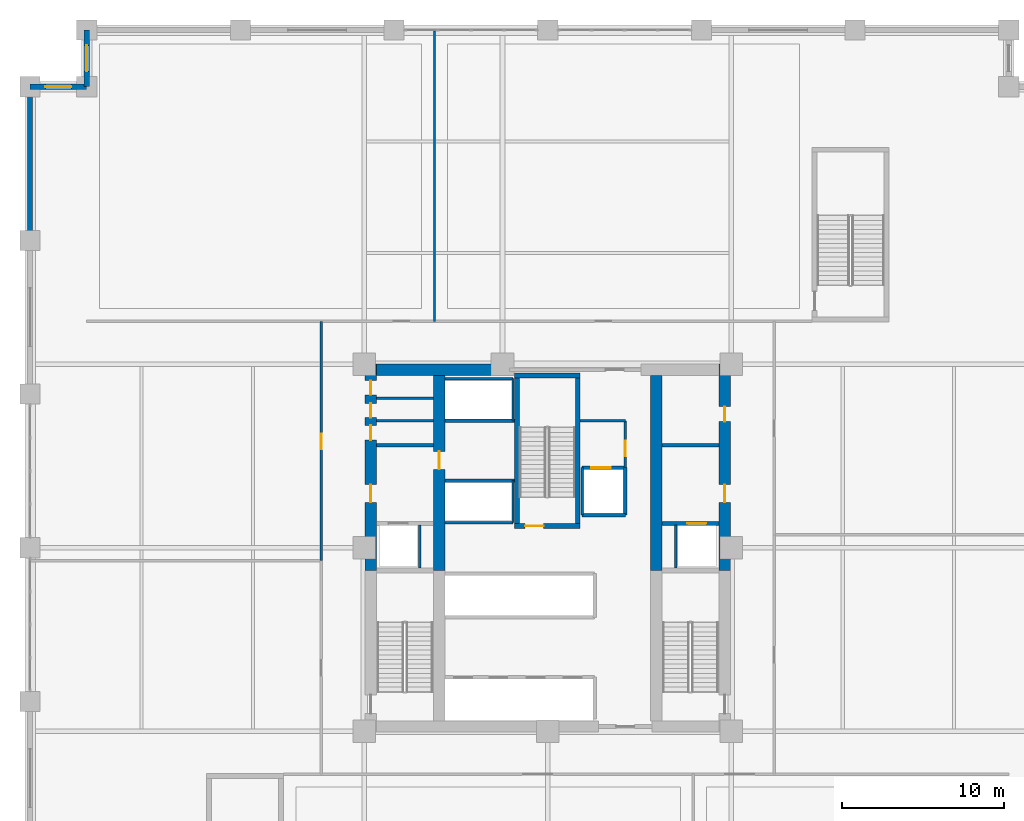
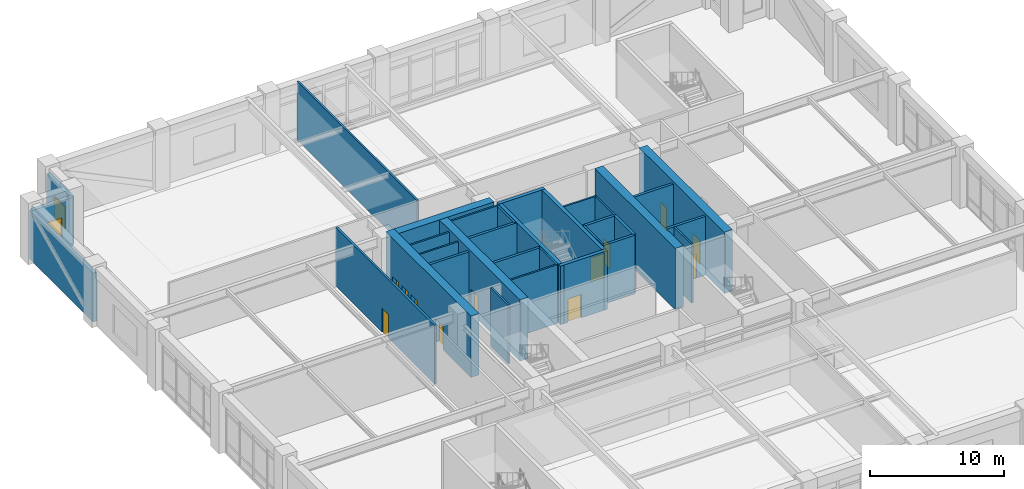
# One storey, part 13 of 21: 33 walls, 12 doors, 2 windows, 14 openings.
"""IFC4 building model written with IfcOpenShell, lengths in metres."""

from ifc_helpers import new_model, si_unit, direction, frame, frame_2d, origin, place, context, subcontext, project, spatial, rectangle, extrude, material, layer, layer_set, type_object, element, fill, save


model = new_model("IFC4")

# Units and contexts
model_context = context("Model", 3, precision=1e-05, world=origin(), true_north=direction((0.0, 1.0)))
body_context = subcontext(model_context, "Body", "Model", "MODEL_VIEW")
ifc_project = project(units=[si_unit("LENGTHUNIT", "METRE"), si_unit("AREAUNIT", "SQUARE_METRE"), si_unit("VOLUMEUNIT", "CUBIC_METRE"), si_unit("PLANEANGLEUNIT", "RADIAN"), si_unit("MASSUNIT", "GRAM", prefix="KILO")], contexts=[model_context])

# Site, building, storey
site_placement = place(None, origin())
site = spatial("IfcSite", under=ifc_project, at=site_placement, CompositionType="ELEMENT")
building_placement = place(site_placement, origin())
building = spatial("IfcBuilding", under=site, at=building_placement, Name="Nhamokura Convention Tower", CompositionType="ELEMENT")
storey_placement = place(building_placement, frame((0.0, 0.0, 12.25)))
storey = spatial("IfcBuildingStorey", under=building, at=storey_placement, Name="L02", CompositionType="ELEMENT", Elevation=12.25)

# Walls
ifc_material_1 = material(Name="Moisture-resistant tile-backer partition", Category="masonry")
ifc_layer_1 = layer(ifc_material_1, 0.139892578125)
ifc_layer_set_1 = layer_set([ifc_layer_1], Name="BathroomWetWall_140")
wall_type_1 = type_object("IfcWallType", Name="BathroomWetWall_140", PredefinedType="STANDARD", material=ifc_layer_set_1)
wall_1_placement = place(storey_placement, frame((21.409912109375, 39.85009765625, 0.0), z_axis=(0.0, 0.0, 1.0), x_axis=(1.0, 0.0, 0.0)))
element("IfcWall", 1, at=wall_1_placement, inside=storey, type_object=wall_type_1, Name="L02 Wall INT-L02-CWNW1", PredefinedType="STANDARD", context=body_context, shape_type="SweptSolid", body=[
    extrude(rectangle(XDim=3.530029296875, YDim=0.139892578125, at=frame_2d((1.76513671875, 0.0))), origin(), (0.0, 0.0, 1.0), 5.360107421875),
])
ifc_material_2 = material(Name="Bronze-pigmented precast concrete C45/55", Category="concrete")
ifc_layer_2 = layer(ifc_material_2, 0.320068359375)
ifc_layer_set_2 = layer_set([ifc_layer_2], Name="BronzePrecastSpandrel_320")
wall_type_2 = type_object("IfcWallType", Name="BronzePrecastSpandrel_320", PredefinedType="USERDEFINED", material=ifc_layer_set_2)
wall_2_placement = place(storey_placement, frame((0.0, 51.0, 0.0), z_axis=(0.0, 0.0, 1.0), x_axis=(0.0, 1.0, 0.0)))
element("IfcWall", 2, at=wall_2_placement, inside=storey, type_object=wall_type_2, Name="L02 Braced-Bay Precast Wall WEST 5", ObjectType="SPANDREL_WALL", PredefinedType="USERDEFINED", context=body_context, shape_type="SweptSolid", body=[
    extrude(rectangle(XDim=9.5, YDim=0.320068359375, at=frame_2d((4.75, 0.0))), origin(), (0.0, 0.0, 1.0), 4.4599609375),
])

# Wall, opening, window
wall_3_placement = place(storey_placement, frame((3.5, 60.5, 0.0), z_axis=(0.0, 0.0, 1.0), x_axis=(0.0, 1.0, 0.0)))
wall_3 = element("IfcWall", 3, at=wall_3_placement, inside=storey, type_object=wall_type_2, Name="L02 Notched Corner Wall NW1", ObjectType="SPANDREL_WALL", PredefinedType="USERDEFINED", context=body_context, shape_type="SweptSolid", body=[
    extrude(rectangle(XDim=3.5, YDim=0.320068359375, at=frame_2d((1.75, 0.0))), origin(), (0.0, 0.0, 1.0), 4.4599609375),
])
opening_1_placement = place(wall_3_placement, frame((0.949951171875, 0.0, 0.85009765625)))
opening_1 = element("IfcOpeningElement", 4, at=opening_1_placement, cuts=wall_3, Name="Opening W-11", PredefinedType="OPENING", context=body_context, shape_type="SweptSolid", body=[
    extrude(rectangle(XDim=1.60009765625, YDim=2.050048828125, at=frame_2d((0.800048828125, 1.02490234375))), frame((0.0, 0.169921875, 0.0), z_axis=(0.0, -1.0, 0.0), x_axis=(1.0, 0.0, 0.0)), (0.0, 0.0, 1.0), 0.340087890625),
])
ifc_material_3 = material(Name="Solar-control bronze low-E double glass", Category="glass")
window_type = type_object("IfcWindowType", Name="NotchCornerWindow_1600", PartitioningType="SINGLE_PANEL", PredefinedType="WINDOW", material=ifc_material_3)
window_1_placement = place(opening_1_placement, origin())
window_1 = element("IfcWindow", 5, at=window_1_placement, inside=storey, type_object=window_type, Name="L02 Notched Corner Window NW1", OverallHeight=2.050048828125, OverallWidth=1.60009765625, PartitioningType="SINGLE_PANEL", PredefinedType="WINDOW", context=body_context, shape_type="SweptSolid", body=[
    extrude(rectangle(XDim=1.60009765625, YDim=2.050048828125, at=frame_2d((0.800048828125, 1.02490234375))), frame((0.0, 0.030029296875, 0.0), z_axis=(0.0, -1.0, 0.0), x_axis=(1.0, 0.0, 0.0)), (0.0, 0.0, 1.0), 0.06005859375),
])
fill(opening_1, window_1)

wall_4_placement = place(storey_placement, frame((0.0, 60.5, 0.0), z_axis=(0.0, 0.0, 1.0), x_axis=(1.0, 0.0, 0.0)))
wall_4 = element("IfcWall", 6, at=wall_4_placement, inside=storey, type_object=wall_type_2, Name="L02 Notched Corner Wall NW2", ObjectType="SPANDREL_WALL", PredefinedType="USERDEFINED", context=body_context, shape_type="SweptSolid", body=[
    extrude(rectangle(XDim=3.5, YDim=0.320068359375, at=frame_2d((1.75, 0.0))), origin(), (0.0, 0.0, 1.0), 4.4599609375),
])
opening_2_placement = place(wall_4_placement, frame((0.949951171875, 0.0, 0.85009765625)))
opening_2 = element("IfcOpeningElement", 7, at=opening_2_placement, cuts=wall_4, Name="Opening W-11", PredefinedType="OPENING", context=body_context, shape_type="SweptSolid", body=[
    extrude(rectangle(XDim=1.60009765625, YDim=2.050048828125, at=frame_2d((0.800048828125, 1.02490234375))), frame((0.0, 0.169921875, 0.0), z_axis=(0.0, -1.0, 0.0), x_axis=(1.0, 0.0, 0.0)), (0.0, 0.0, 1.0), 0.340087890625),
])
window_2_placement = place(opening_2_placement, origin())
window_2 = element("IfcWindow", 8, at=window_2_placement, inside=storey, type_object=window_type, Name="L02 Notched Corner Window NW2", OverallHeight=2.050048828125, OverallWidth=1.60009765625, PartitioningType="SINGLE_PANEL", PredefinedType="WINDOW", context=body_context, shape_type="SweptSolid", body=[
    extrude(rectangle(XDim=1.60009765625, YDim=2.050048828125, at=frame_2d((0.800048828125, 1.02490234375))), frame((0.0, 0.030029296875, 0.0), z_axis=(0.0, -1.0, 0.0), x_axis=(1.0, 0.0, 0.0)), (0.0, 0.0, 1.0), 0.06005859375),
])
fill(opening_2, window_2)

# Wall, openings, doors
ifc_material_4 = material(Name="Concrete C70/85", Category="concrete")
ifc_layer_3 = layer(ifc_material_4, 0.699951171875)
ifc_layer_set_3 = layer_set([ifc_layer_3], Name="CoreShearWall_700")
wall_type_3 = type_object("IfcWallType", Name="CoreShearWall_700", PredefinedType="SHEAR", material=ifc_layer_set_3)
wall_5_placement = place(storey_placement, frame((21.06005859375, 30.60009765625, 0.0), z_axis=(0.0, 0.0, 1.0), x_axis=(0.0, 1.0, 0.0)))
wall_5 = element("IfcWall", 9, at=wall_5_placement, inside=storey, type_object=wall_type_3, Name="L02 Core Shear Wall CW-WN", PredefinedType="SHEAR", context=body_context, shape_type="SweptSolid", body=[
    extrude(rectangle(XDim=12.75, YDim=0.699951171875, at=frame_2d((6.375, 0.0))), origin(), (0.0, 0.0, 1.0), 5.60009765625),
])
opening_3_placement = place(wall_5_placement, frame((4.199951171875, 0.0, 0.0)))
opening_3 = element("IfcOpeningElement", 10, at=opening_3_placement, cuts=wall_5, Name="Opening D-05", PredefinedType="OPENING", context=body_context, shape_type="SweptSolid", body=[
    extrude(rectangle(XDim=1.10009765625, YDim=2.14990234375, at=frame_2d((0.550048828125, 1.074951171875))), frame((0.0, 0.35986328125, 0.0), z_axis=(0.0, -1.0, 0.0), x_axis=(1.0, 0.0, 0.0)), (0.0, 0.0, 1.0), 0.719970703125),
])
opening_4_placement = place(wall_5_placement, frame((8.050048828125, 0.0, 0.0)))
opening_4 = element("IfcOpeningElement", 11, at=opening_4_placement, cuts=wall_5, Name="Opening D-10", PredefinedType="OPENING", context=body_context, shape_type="SweptSolid", body=[
    extrude(rectangle(XDim=0.919921875, YDim=2.10009765625, at=frame_2d((0.4599609375, 1.050048828125))), frame((0.0, 0.35986328125, 0.0), z_axis=(0.0, -1.0, 0.0), x_axis=(1.0, 0.0, 0.0)), (0.0, 0.0, 1.0), 0.719970703125),
])
opening_5_placement = place(wall_5_placement, frame((9.449951171875, 0.0, 0.0)))
opening_5 = element("IfcOpeningElement", 12, at=opening_5_placement, cuts=wall_5, Name="Opening D-11", PredefinedType="OPENING", context=body_context, shape_type="SweptSolid", body=[
    extrude(rectangle(XDim=0.8798828125, YDim=2.10009765625, at=frame_2d((0.43994140625, 1.050048828125))), frame((0.0, 0.35986328125, 0.0), z_axis=(0.0, -1.0, 0.0), x_axis=(1.0, 0.0, 0.0)), (0.0, 0.0, 1.0), 0.719970703125),
])
opening_6_placement = place(wall_5_placement, frame((10.85009765625, 0.0, 0.0)))
opening_6 = element("IfcOpeningElement", 13, at=opening_6_placement, cuts=wall_5, Name="Opening D-11", PredefinedType="OPENING", context=body_context, shape_type="SweptSolid", body=[
    extrude(rectangle(XDim=0.8798828125, YDim=2.10009765625, at=frame_2d((0.43994140625, 1.050048828125))), frame((0.0, 0.35986328125, 0.0), z_axis=(0.0, -1.0, 0.0), x_axis=(1.0, 0.0, 0.0)), (0.0, 0.0, 1.0), 0.719970703125),
])
ifc_material_5 = material(Name="Solid oak hardwood", Category="wood")
door_type_1 = type_object("IfcDoorType", Name="AccessibleWCDoor_920", OperationType="NOTDEFINED", PredefinedType="DOOR", material=ifc_material_5)
door_1_placement = place(opening_4_placement, origin())
door_1 = element("IfcDoor", 14, at=door_1_placement, inside=storey, type_object=door_type_1, Name="L02 Core Door INT-L02-D-AWC", OperationType="SINGLE_SWING_LEFT", OverallHeight=2.10009765625, OverallWidth=0.919921875, PredefinedType="DOOR", context=body_context, shape_type="SweptSolid", body=[
    extrude(rectangle(XDim=0.919921875, YDim=2.10009765625, at=frame_2d((0.4599609375, 1.050048828125))), frame((0.0, 0.02490234375, 0.0), z_axis=(0.0, -1.0, 0.0), x_axis=(1.0, 0.0, 0.0)), (0.0, 0.0, 1.0), 0.050048828125),
])
fill(opening_4, door_1)
ifc_material_6 = material(Name="Solid oak hardwood", Category="wood")
door_type_2 = type_object("IfcDoorType", Name="BathroomDoor_880", OperationType="NOTDEFINED", PredefinedType="DOOR", material=ifc_material_6)
door_2_placement = place(opening_5_placement, origin())
door_2 = element("IfcDoor", 15, at=door_2_placement, inside=storey, type_object=door_type_2, Name="L02 Core Door INT-L02-D-CLN", OperationType="SINGLE_SWING_RIGHT", OverallHeight=2.10009765625, OverallWidth=0.8798828125, PredefinedType="DOOR", context=body_context, shape_type="SweptSolid", body=[
    extrude(rectangle(XDim=0.8798828125, YDim=2.10009765625, at=frame_2d((0.43994140625, 1.050048828125))), frame((0.0, 0.02490234375, 0.0), z_axis=(0.0, -1.0, 0.0), x_axis=(1.0, 0.0, 0.0)), (0.0, 0.0, 1.0), 0.050048828125),
])
fill(opening_5, door_2)
door_3_placement = place(opening_6_placement, origin())
door_3 = element("IfcDoor", 16, at=door_3_placement, inside=storey, type_object=door_type_2, Name="L02 Core Door INT-L02-D-PNT", OperationType="SINGLE_SWING_LEFT", OverallHeight=2.10009765625, OverallWidth=0.8798828125, PredefinedType="DOOR", context=body_context, shape_type="SweptSolid", body=[
    extrude(rectangle(XDim=0.8798828125, YDim=2.10009765625, at=frame_2d((0.43994140625, 1.050048828125))), frame((0.0, 0.02490234375, 0.0), z_axis=(0.0, -1.0, 0.0), x_axis=(1.0, 0.0, 0.0)), (0.0, 0.0, 1.0), 0.050048828125),
])
fill(opening_6, door_3)
ifc_material_7 = material(Name="Fire-rated steel door", Category="steel")
door_type_3 = type_object("IfcDoorType", Name="FireLobbyDoor_1100", OperationType="NOTDEFINED", PredefinedType="DOOR", material=ifc_material_7)
door_4_placement = place(opening_3_placement, origin())
door_4 = element("IfcDoor", 17, at=door_4_placement, inside=storey, type_object=door_type_3, Name="L02 Core Door INT-L02-D-FFLW", OperationType="SINGLE_SWING_RIGHT", OverallHeight=2.14990234375, OverallWidth=1.10009765625, PredefinedType="DOOR", context=body_context, shape_type="SweptSolid", body=[
    extrude(rectangle(XDim=1.10009765625, YDim=2.14990234375, at=frame_2d((0.550048828125, 1.074951171875))), frame((0.0, 0.02490234375, 0.0), z_axis=(0.0, -1.0, 0.0), x_axis=(1.0, 0.0, 0.0)), (0.0, 0.0, 1.0), 0.050048828125),
])
fill(opening_3, door_4)

wall_6_placement = place(storey_placement, frame((42.93994140625, 30.60009765625, 0.0), z_axis=(0.0, 0.0, 1.0), x_axis=(0.0, 1.0, 0.0)))
wall_6 = element("IfcWall", 18, at=wall_6_placement, inside=storey, type_object=wall_type_3, Name="L02 Core Shear Wall CW-EN", PredefinedType="SHEAR", context=body_context, shape_type="SweptSolid", body=[
    extrude(rectangle(XDim=12.75, YDim=0.699951171875, at=frame_2d((6.375, 0.0))), origin(), (0.0, 0.0, 1.0), 5.60009765625),
])
opening_7_placement = place(wall_6_placement, frame((4.199951171875, 0.0, 0.0)))
opening_7 = element("IfcOpeningElement", 19, at=opening_7_placement, cuts=wall_6, Name="Opening D-05", PredefinedType="OPENING", context=body_context, shape_type="SweptSolid", body=[
    extrude(rectangle(XDim=1.10009765625, YDim=2.14990234375, at=frame_2d((0.550048828125, 1.074951171875))), frame((0.0, 0.35986328125, 0.0), z_axis=(0.0, -1.0, 0.0), x_axis=(1.0, 0.0, 0.0)), (0.0, 0.0, 1.0), 0.719970703125),
])
opening_8_placement = place(wall_6_placement, frame((9.199951171875, 0.0, 0.0)))
opening_8 = element("IfcOpeningElement", 20, at=opening_8_placement, cuts=wall_6, Name="Opening D-10", PredefinedType="OPENING", context=body_context, shape_type="SweptSolid", body=[
    extrude(rectangle(XDim=0.919921875, YDim=2.10009765625, at=frame_2d((0.4599609375, 1.050048828125))), frame((0.0, 0.35986328125, 0.0), z_axis=(0.0, -1.0, 0.0), x_axis=(1.0, 0.0, 0.0)), (0.0, 0.0, 1.0), 0.719970703125),
])
door_5_placement = place(opening_8_placement, origin())
door_5 = element("IfcDoor", 21, at=door_5_placement, inside=storey, type_object=door_type_1, Name="L02 Core Door INT-L02-D-UWC", OperationType="SINGLE_SWING_RIGHT", OverallHeight=2.10009765625, OverallWidth=0.919921875, PredefinedType="DOOR", context=body_context, shape_type="SweptSolid", body=[
    extrude(rectangle(XDim=0.919921875, YDim=2.10009765625, at=frame_2d((0.4599609375, 1.050048828125))), frame((0.0, 0.02490234375, 0.0), z_axis=(0.0, -1.0, 0.0), x_axis=(1.0, 0.0, 0.0)), (0.0, 0.0, 1.0), 0.050048828125),
])
fill(opening_8, door_5)
door_6_placement = place(opening_7_placement, origin())
door_6 = element("IfcDoor", 22, at=door_6_placement, inside=storey, type_object=door_type_3, Name="L02 Core Door INT-L02-D-FFLE", OperationType="SINGLE_SWING_LEFT", OverallHeight=2.14990234375, OverallWidth=1.10009765625, PredefinedType="DOOR", context=body_context, shape_type="SweptSolid", body=[
    extrude(rectangle(XDim=1.10009765625, YDim=2.14990234375, at=frame_2d((0.550048828125, 1.074951171875))), frame((0.0, 0.02490234375, 0.0), z_axis=(0.0, -1.0, 0.0), x_axis=(1.0, 0.0, 0.0)), (0.0, 0.0, 1.0), 0.050048828125),
])
fill(opening_7, door_6)

# Wall
wall_7_placement = place(storey_placement, frame((21.409912109375, 43.0, 0.0), z_axis=(0.0, 0.0, 1.0), x_axis=(1.0, 0.0, 0.0)))
element("IfcWall", 23, at=wall_7_placement, inside=storey, type_object=wall_type_3, Name="L02 Core Shear Wall CW-N1", PredefinedType="SHEAR", context=body_context, shape_type="SweptSolid", body=[
    extrude(rectangle(XDim=8.239990234375, YDim=0.699951171875, at=frame_2d((4.1201171875, 0.0))), origin(), (0.0, 0.0, 1.0), 5.60009765625),
])

# Wall, opening, door
wall_8_placement = place(storey_placement, frame((25.2900390625, 30.60009765625, 0.0), z_axis=(0.0, 0.0, 1.0), x_axis=(0.0, 1.0, 0.0)))
wall_8 = element("IfcWall", 24, at=wall_8_placement, inside=storey, type_object=wall_type_3, Name="L02 Core Shear Wall CW-IWN", PredefinedType="SHEAR", context=body_context, shape_type="SweptSolid", body=[
    extrude(rectangle(XDim=12.0498046875, YDim=0.699951171875, at=frame_2d((6.02490234375, 0.0))), origin(), (0.0, 0.0, 1.0), 5.60009765625),
])
opening_9_placement = place(wall_8_placement, frame((6.25, 0.0, 0.0)))
opening_9 = element("IfcOpeningElement", 25, at=opening_9_placement, cuts=wall_8, Name="Opening D-05", PredefinedType="OPENING", context=body_context, shape_type="SweptSolid", body=[
    extrude(rectangle(XDim=1.10009765625, YDim=2.14990234375, at=frame_2d((0.550048828125, 1.074951171875))), frame((0.0, 0.35986328125, 0.0), z_axis=(0.0, -1.0, 0.0), x_axis=(1.0, 0.0, 0.0)), (0.0, 0.0, 1.0), 0.719970703125),
])
door_7_placement = place(opening_9_placement, origin())
door_7 = element("IfcDoor", 26, at=door_7_placement, inside=storey, type_object=door_type_3, Name="L02 Core Door INT-L02-D-B3LOB", OperationType="SINGLE_SWING_LEFT", OverallHeight=2.14990234375, OverallWidth=1.10009765625, PredefinedType="DOOR", context=body_context, shape_type="SweptSolid", body=[
    extrude(rectangle(XDim=1.10009765625, YDim=2.14990234375, at=frame_2d((0.550048828125, 1.074951171875))), frame((0.0, 0.02490234375, 0.0), z_axis=(0.0, -1.0, 0.0), x_axis=(1.0, 0.0, 0.0)), (0.0, 0.0, 1.0), 0.050048828125),
])
fill(opening_9, door_7)

# Wall
wall_9_placement = place(storey_placement, frame((38.7099609375, 30.60009765625, 0.0), z_axis=(0.0, 0.0, 1.0), x_axis=(0.0, 1.0, 0.0)))
element("IfcWall", 27, at=wall_9_placement, inside=storey, type_object=wall_type_3, Name="L02 Core Shear Wall CW-IEN", PredefinedType="SHEAR", context=body_context, shape_type="SweptSolid", body=[
    extrude(rectangle(XDim=12.0498046875, YDim=0.699951171875, at=frame_2d((6.02490234375, 0.0))), origin(), (0.0, 0.0, 1.0), 5.60009765625),
])

# Wall, opening, door
ifc_material_8 = material(Name="Fire-rated gypsum and masonry partition", Category="masonry")
ifc_layer_4 = layer(ifc_material_8, 0.179931640625)
ifc_layer_set_4 = layer_set([ifc_layer_4], Name="CorridorRatedWall_180")
wall_type_4 = type_object("IfcWallType", Name="CorridorRatedWall_180", PredefinedType="STANDARD", material=ifc_layer_set_4)
wall_10_placement = place(storey_placement, frame((18.0, 31.199951171875, 0.0), z_axis=(0.0, 0.0, 1.0), x_axis=(0.0, 1.0, 0.0)))
wall_10 = element("IfcWall", 28, at=wall_10_placement, inside=storey, type_object=wall_type_4, Name="L02 Wall INT-L02-CW-W01", PredefinedType="STANDARD", context=body_context, shape_type="SweptSolid", body=[
    extrude(rectangle(XDim=14.800048828125, YDim=0.179931640625, at=frame_2d((7.39990234375, 0.0))), origin(), (0.0, 0.0, 1.0), 5.360107421875),
])
opening_10_placement = place(wall_10_placement, frame((6.89990234375, 0.0, 0.0)))
opening_10 = element("IfcOpeningElement", 29, at=opening_10_placement, cuts=wall_10, Name="Opening D-09", PredefinedType="OPENING", context=body_context, shape_type="SweptSolid", body=[
    extrude(rectangle(XDim=0.949951171875, YDim=2.14990234375, at=frame_2d((0.47509765625, 1.074951171875))), frame((0.0, 0.099853515625, 0.0), z_axis=(0.0, -1.0, 0.0), x_axis=(1.0, 0.0, 0.0)), (0.0, 0.0, 1.0), 0.199951171875),
])
ifc_material_9 = material(Name="Solid oak hardwood", Category="wood")
door_type_4 = type_object("IfcDoorType", Name="MeetingRoomDoor_950", OperationType="NOTDEFINED", PredefinedType="DOOR", material=ifc_material_9)
door_8_placement = place(opening_10_placement, origin())
door_8 = element("IfcDoor", 30, at=door_8_placement, inside=storey, type_object=door_type_4, Name="L02 Meeting Room W02 Door", OperationType="SINGLE_SWING_RIGHT", OverallHeight=2.14990234375, OverallWidth=0.949951171875, PredefinedType="DOOR", context=body_context, shape_type="SweptSolid", body=[
    extrude(rectangle(XDim=0.949951171875, YDim=2.14990234375, at=frame_2d((0.47509765625, 1.074951171875))), frame((0.0, 0.02490234375, 0.0), z_axis=(0.0, -1.0, 0.0), x_axis=(1.0, 0.0, 0.0)), (0.0, 0.0, 1.0), 0.050048828125),
])
fill(opening_10, door_8)

ifc_material_10 = material(Name="Autoclaved concrete blockwork", Category="masonry")
ifc_layer_5 = layer(ifc_material_10, 0.219970703125)
ifc_layer_set_5 = layer_set([ifc_layer_5], Name="FireLobbyWall_220")
wall_type_5 = type_object("IfcWallType", Name="FireLobbyWall_220", PredefinedType="STANDARD", material=ifc_layer_set_5)
wall_11_placement = place(storey_placement, frame((39.06005859375, 33.5, 0.0), z_axis=(0.0, 0.0, 1.0), x_axis=(1.0, 0.0, 0.0)))
wall_11 = element("IfcWall", 31, at=wall_11_placement, inside=storey, type_object=wall_type_5, Name="L02 Wall INT-L02-FFE-S", PredefinedType="STANDARD", context=body_context, shape_type="SweptSolid", body=[
    extrude(rectangle(XDim=3.530029296875, YDim=0.219970703125, at=frame_2d((1.76513671875, 0.0))), origin(), (0.0, 0.0, 1.0), 5.360107421875),
])
opening_11_placement = place(wall_11_placement, frame((1.550048828125, 0.0, 0.0)))
opening_11 = element("IfcOpeningElement", 32, at=opening_11_placement, cuts=wall_11, Name="Opening LD-02", PredefinedType="OPENING", context=body_context, shape_type="SweptSolid", body=[
    extrude(rectangle(XDim=1.199951171875, YDim=2.199951171875, at=frame_2d((0.60009765625, 1.10009765625))), frame((0.0, 0.119873046875, 0.0), z_axis=(0.0, -1.0, 0.0), x_axis=(1.0, 0.0, 0.0)), (0.0, 0.0, 1.0), 0.239990234375),
])
ifc_material_11 = material(Name="Anodised bronze stainless steel", Category="steel")
door_type_5 = type_object("IfcDoorType", Name="LiftLandingDoor_FireService", OperationType="DOUBLE_DOOR_SLIDING", PredefinedType="DOOR", material=ifc_material_11)
door_9_placement = place(opening_11_placement, origin())
door_9 = element("IfcDoor", 33, at=door_9_placement, inside=storey, type_object=door_type_5, Name="L02 Firefighting Lift LF-02 Door", OperationType="DOUBLE_DOOR_SLIDING", OverallHeight=2.199951171875, OverallWidth=1.199951171875, PredefinedType="DOOR", context=body_context, shape_type="SweptSolid", body=[
    extrude(rectangle(XDim=1.199951171875, YDim=2.199951171875, at=frame_2d((0.60009765625, 1.10009765625))), frame((0.0, 0.02490234375, 0.0), z_axis=(0.0, -1.0, 0.0), x_axis=(1.0, 0.0, 0.0)), (0.0, 0.0, 1.0), 0.050048828125),
])
fill(opening_11, door_9)

# Walls
for number, where, z_axis, x_axis, name in (
    (34, (21.409912109375, 38.35009765625, 0.0), (0.0, 0.0, 1.0), (1.0, 0.0, 0.0), "L02 Wall INT-L02-FFW-N"),
    (35, (39.06005859375, 38.35009765625, 0.0), (0.0, 0.0, 1.0), (1.0, 0.0, 0.0), "L02 Wall INT-L02-FFE-N"),
):
    element("IfcWall", number, at=place(storey_placement, frame(where, z_axis=z_axis, x_axis=x_axis)), inside=storey, type_object=wall_type_5, Name=name, PredefinedType="STANDARD", context=body_context, shape_type="SweptSolid", body=[
        extrude(rectangle(XDim=3.530029296875, YDim=0.219970703125, at=frame_2d((1.76513671875, 0.0))), origin(), (0.0, 0.0, 1.0), 5.360107421875),
    ])
for number, where, z_axis, x_axis, name in (
    (36, (25.64990234375, 36.14990234375, 0.0), (0.0, 0.0, 1.0), (1.0, 0.0, 0.0), "L02 Wall INT-L02-B3S"),
    (37, (25.64990234375, 39.85009765625, 0.0), (0.0, 0.0, 1.0), (1.0, 0.0, 0.0), "L02 Wall INT-L02-B3N"),
):
    element("IfcWall", number, at=place(storey_placement, frame(where, z_axis=z_axis, x_axis=x_axis)), inside=storey, type_object=wall_type_5, Name=name, PredefinedType="STANDARD", context=body_context, shape_type="SweptSolid", body=[
        extrude(rectangle(XDim=4.300048828125, YDim=0.219970703125, at=frame_2d((2.14990234375, 0.0))), origin(), (0.0, 0.0, 1.0), 5.360107421875),
    ])

# Wall, opening, door
wall_12_placement = place(storey_placement, frame((34.1201171875, 36.949951171875, 0.0), z_axis=(0.0, 0.0, 1.0), x_axis=(1.0, 0.0, 0.0)))
wall_12 = element("IfcWall", 38, at=wall_12_placement, inside=storey, type_object=wall_type_5, Name="L02 Wall INT-L02-LSN", PredefinedType="STANDARD", context=body_context, shape_type="SweptSolid", body=[
    extrude(rectangle(XDim=2.679931640625, YDim=0.219970703125, at=frame_2d((1.33984375, 0.0))), origin(), (0.0, 0.0, 1.0), 5.360107421875),
])
opening_12_placement = place(wall_12_placement, frame((0.580078125, 0.0, 0.0)))
opening_12 = element("IfcOpeningElement", 39, at=opening_12_placement, cuts=wall_12, Name="Opening LD-02", PredefinedType="OPENING", context=body_context, shape_type="SweptSolid", body=[
    extrude(rectangle(XDim=1.199951171875, YDim=2.199951171875, at=frame_2d((0.60009765625, 1.10009765625))), frame((0.0, 0.119873046875, 0.0), z_axis=(0.0, -1.0, 0.0), x_axis=(1.0, 0.0, 0.0)), (0.0, 0.0, 1.0), 0.239990234375),
])
door_10_placement = place(opening_12_placement, origin())
door_10 = element("IfcDoor", 40, at=door_10_placement, inside=storey, type_object=door_type_5, Name="L02 Service Lift LS-01 Door", OperationType="DOUBLE_DOOR_SLIDING", OverallHeight=2.199951171875, OverallWidth=1.199951171875, PredefinedType="DOOR", context=body_context, shape_type="SweptSolid", body=[
    extrude(rectangle(XDim=1.199951171875, YDim=2.199951171875, at=frame_2d((0.60009765625, 1.10009765625))), frame((0.0, 0.02490234375, 0.0), z_axis=(0.0, -1.0, 0.0), x_axis=(1.0, 0.0, 0.0)), (0.0, 0.0, 1.0), 0.050048828125),
])
fill(opening_12, door_10)

# Walls
wall_13_placement = place(storey_placement, frame((36.800048828125, 34.02001953125, 0.0), z_axis=(0.0, 0.0, 1.0), x_axis=(0.0, 1.0, 0.0)))
element("IfcWall", 41, at=wall_13_placement, inside=storey, type_object=wall_type_5, Name="L02 Wall INT-L02-LSE", PredefinedType="STANDARD", context=body_context, shape_type="SweptSolid", body=[
    extrude(rectangle(XDim=2.929931640625, YDim=0.219970703125, at=frame_2d((1.46484375, 0.0))), origin(), (0.0, 0.0, 1.0), 5.360107421875),
])
wall_14_placement = place(storey_placement, frame((34.1201171875, 34.02001953125, 0.0), z_axis=(0.0, 0.0, 1.0), x_axis=(1.0, 0.0, 0.0)))
element("IfcWall", 42, at=wall_14_placement, inside=storey, type_object=wall_type_5, Name="L02 Wall INT-L02-LSS", PredefinedType="STANDARD", context=body_context, shape_type="SweptSolid", body=[
    extrude(rectangle(XDim=2.679931640625, YDim=0.219970703125, at=frame_2d((1.33984375, 0.0))), origin(), (0.0, 0.0, 1.0), 5.360107421875),
])
ifc_material_12 = material(Name="Acoustic gypsum stud partition", Category="masonry")
ifc_layer_6 = layer(ifc_material_12, 0.14990234375)
ifc_layer_set_6 = layer_set([ifc_layer_6], Name="InteriorPartition_150")
wall_type_6 = type_object("IfcWallType", Name="InteriorPartition_150", PredefinedType="STANDARD", material=ifc_layer_set_6)
for number, where, z_axis, x_axis, name in (
    (43, (24.080078125, 30.75, 0.0), (0.0, 0.0, 1.0), (0.0, 1.0, 0.0), "L02 Wall INT-L02-FF1-E"),
    (44, (39.919921875, 30.75, 0.0), (0.0, 0.0, 1.0), (0.0, 1.0, 0.0), "L02 Wall INT-L02-FF2-W"),
):
    element("IfcWall", number, at=place(storey_placement, frame(where, z_axis=z_axis, x_axis=x_axis)), inside=storey, type_object=wall_type_6, Name=name, PredefinedType="STANDARD", context=body_context, shape_type="SweptSolid", body=[
        extrude(rectangle(XDim=2.64990234375, YDim=0.14990234375, at=frame_2d((1.324951171875, 0.0))), origin(), (0.0, 0.0, 1.0), 5.360107421875),
    ])
wall_15_placement = place(storey_placement, frame((21.409912109375, 41.25, 0.0), z_axis=(0.0, 0.0, 1.0), x_axis=(1.0, 0.0, 0.0)))
element("IfcWall", 45, at=wall_15_placement, inside=storey, type_object=wall_type_6, Name="L02 Wall INT-L02-CWNW2", PredefinedType="STANDARD", context=body_context, shape_type="SweptSolid", body=[
    extrude(rectangle(XDim=3.530029296875, YDim=0.14990234375, at=frame_2d((1.76513671875, 0.0))), origin(), (0.0, 0.0, 1.0), 5.360107421875),
])
wall_16_placement = place(storey_placement, frame((34.0, 39.85009765625, 0.0), z_axis=(0.0, 0.0, 1.0), x_axis=(1.0, 0.0, 0.0)))
element("IfcWall", 46, at=wall_16_placement, inside=storey, type_object=wall_type_6, Name="L02 Wall INT-L02-NE-TELN", PredefinedType="STANDARD", context=body_context, shape_type="SweptSolid", body=[
    extrude(rectangle(XDim=2.800048828125, YDim=0.14990234375, at=frame_2d((1.39990234375, 0.0))), origin(), (0.0, 0.0, 1.0), 5.360107421875),
])

# Wall, opening, door
wall_17_placement = place(storey_placement, frame((36.800048828125, 36.949951171875, 0.0), z_axis=(0.0, 0.0, 1.0), x_axis=(0.0, 1.0, 0.0)))
wall_17 = element("IfcWall", 47, at=wall_17_placement, inside=storey, type_object=wall_type_6, Name="L02 Wall INT-L02-NE-TELE", PredefinedType="STANDARD", context=body_context, shape_type="SweptSolid", body=[
    extrude(rectangle(XDim=2.900146484375, YDim=0.14990234375, at=frame_2d((1.4501953125, 0.0))), origin(), (0.0, 0.0, 1.0), 5.360107421875),
])
opening_13_placement = place(wall_17_placement, frame((0.699951171875, 0.0, 0.0)))
opening_13 = element("IfcOpeningElement", 48, at=opening_13_placement, cuts=wall_17, Name="Opening D-08", PredefinedType="OPENING", context=body_context, shape_type="SweptSolid", body=[
    extrude(rectangle(XDim=0.97998046875, YDim=2.199951171875, at=frame_2d((0.489990234375, 1.10009765625))), frame((0.0, 0.0849609375, 0.0), z_axis=(0.0, -1.0, 0.0), x_axis=(1.0, 0.0, 0.0)), (0.0, 0.0, 1.0), 0.169921875),
])
ifc_material_13 = material(Name="Solid oak hardwood", Category="wood")
door_type_6 = type_object("IfcDoorType", Name="OfficeEntryDoor_980", OperationType="NOTDEFINED", PredefinedType="DOOR", material=ifc_material_13)
door_11_placement = place(opening_13_placement, origin())
door_11 = element("IfcDoor", 49, at=door_11_placement, inside=storey, type_object=door_type_6, Name="L02 Core Telecom Door", OperationType="SINGLE_SWING_LEFT", OverallHeight=2.199951171875, OverallWidth=0.97998046875, PredefinedType="DOOR", context=body_context, shape_type="SweptSolid", body=[
    extrude(rectangle(XDim=0.97998046875, YDim=2.199951171875, at=frame_2d((0.489990234375, 1.10009765625))), frame((0.0, 0.02490234375, 0.0), z_axis=(0.0, -1.0, 0.0), x_axis=(1.0, 0.0, 0.0)), (0.0, 0.0, 1.0), 0.050048828125),
])
fill(opening_13, door_11)

# Walls
wall_18_placement = place(storey_placement, frame((25.64990234375, 33.550048828125, 0.0), z_axis=(0.0, 0.0, 1.0), x_axis=(1.0, 0.0, 0.0)))
element("IfcWall", 50, at=wall_18_placement, inside=storey, type_object=wall_type_6, Name="L02 Wall INT-L02-B3A-S", PredefinedType="STANDARD", context=body_context, shape_type="SweptSolid", body=[
    extrude(rectangle(XDim=4.2001953125, YDim=0.14990234375, at=frame_2d((2.10009765625, 0.0))), origin(), (0.0, 0.0, 1.0), 5.360107421875),
])
wall_19_placement = place(storey_placement, frame((29.85009765625, 33.550048828125, 0.0), z_axis=(0.0, 0.0, 1.0), x_axis=(0.0, 1.0, 0.0)))
element("IfcWall", 51, at=wall_19_placement, inside=storey, type_object=wall_type_6, Name="L02 Wall INT-L02-B3A-E", PredefinedType="STANDARD", context=body_context, shape_type="SweptSolid", body=[
    extrude(rectangle(XDim=2.599853515625, YDim=0.14990234375, at=frame_2d((1.2998046875, 0.0))), origin(), (0.0, 0.0, 1.0), 5.360107421875),
])
wall_20_placement = place(storey_placement, frame((25.64990234375, 42.449951171875, 0.0), z_axis=(0.0, 0.0, 1.0), x_axis=(1.0, 0.0, 0.0)))
element("IfcWall", 52, at=wall_20_placement, inside=storey, type_object=wall_type_6, Name="L02 Wall INT-L02-B3B-N", PredefinedType="STANDARD", context=body_context, shape_type="SweptSolid", body=[
    extrude(rectangle(XDim=4.2001953125, YDim=0.14990234375, at=frame_2d((2.10009765625, 0.0))), origin(), (0.0, 0.0, 1.0), 5.360107421875),
])
wall_21_placement = place(storey_placement, frame((29.85009765625, 39.85009765625, 0.0), z_axis=(0.0, 0.0, 1.0), x_axis=(0.0, 1.0, 0.0)))
element("IfcWall", 53, at=wall_21_placement, inside=storey, type_object=wall_type_6, Name="L02 Wall INT-L02-B3B-E", PredefinedType="STANDARD", context=body_context, shape_type="SweptSolid", body=[
    extrude(rectangle(XDim=2.599853515625, YDim=0.14990234375, at=frame_2d((1.2998046875, 0.0))), origin(), (0.0, 0.0, 1.0), 5.360107421875),
])
wall_22_placement = place(storey_placement, frame((34.1201171875, 34.02001953125, 0.0), z_axis=(0.0, 0.0, 1.0), x_axis=(0.0, 1.0, 0.0)))
element("IfcWall", 54, at=wall_22_placement, inside=storey, type_object=wall_type_6, Name="L02 Wall INT-L02-LSW", PredefinedType="STANDARD", context=body_context, shape_type="SweptSolid", body=[
    extrude(rectangle(XDim=2.929931640625, YDim=0.14990234375, at=frame_2d((1.46484375, 0.0))), origin(), (0.0, 0.0, 1.0), 5.360107421875),
])
wall_23_placement = place(storey_placement, frame((25.0, 46.0, 0.0), z_axis=(0.0, 0.0, 1.0), x_axis=(0.0, 1.0, 0.0)))
element("IfcWall", 55, at=wall_23_placement, inside=storey, type_object=wall_type_6, Name="L02 Wall INT-L02-RW-N01", PredefinedType="STANDARD", context=body_context, shape_type="SweptSolid", body=[
    extrude(rectangle(XDim=17.93994140625, YDim=0.14990234375, at=frame_2d((8.969970703125, 0.0))), origin(), (0.0, 0.0, 1.0), 5.360107421875),
])
ifc_material_14 = material(Name="Concrete C50/60", Category="concrete")
ifc_layer_7 = layer(ifc_material_14, 0.300048828125)
ifc_layer_set_7 = layer_set([ifc_layer_7], Name="ShaftEnclosureWall_300")
wall_type_7 = type_object("IfcWallType", Name="ShaftEnclosureWall_300", PredefinedType="SHEAR", material=ifc_layer_set_7)
for number, where, z_axis, x_axis, name in (
    (56, (30.10009765625, 33.199951171875, 0.0), (0.0, 0.0, 1.0), (0.0, 1.0, 0.0), "L02 Wall INT-L02-ST03W"),
    (57, (33.85009765625, 33.199951171875, 0.0), (0.0, 0.0, 1.0), (0.0, 1.0, 0.0), "L02 Wall INT-L02-ST03E"),
):
    element("IfcWall", number, at=place(storey_placement, frame(where, z_axis=z_axis, x_axis=x_axis)), inside=storey, type_object=wall_type_7, Name=name, PredefinedType="SHEAR", context=body_context, shape_type="SweptSolid", body=[
        extrude(rectangle(XDim=9.60009765625, YDim=0.300048828125, at=frame_2d((4.800048828125, 0.0))), origin(), (0.0, 0.0, 1.0), 5.360107421875),
    ])

# Wall, opening, door
wall_24_placement = place(storey_placement, frame((29.949951171875, 33.35009765625, 0.0), z_axis=(0.0, 0.0, 1.0), x_axis=(1.0, 0.0, 0.0)))
wall_24 = element("IfcWall", 58, at=wall_24_placement, inside=storey, type_object=wall_type_7, Name="L02 Wall INT-L02-ST03S", PredefinedType="SHEAR", context=body_context, shape_type="SweptSolid", body=[
    extrude(rectangle(XDim=4.050048828125, YDim=0.300048828125, at=frame_2d((2.02490234375, 0.0))), origin(), (0.0, 0.0, 1.0), 5.360107421875),
])
opening_14_placement = place(wall_24_placement, frame((0.64990234375, 0.0, 0.0)))
opening_14 = element("IfcOpeningElement", 59, at=opening_14_placement, cuts=wall_24, Name="Opening D-04", PredefinedType="OPENING", context=body_context, shape_type="SweptSolid", body=[
    extrude(rectangle(XDim=1.14990234375, YDim=2.14990234375, at=frame_2d((0.574951171875, 1.074951171875))), frame((0.0, 0.159912109375, 0.0), z_axis=(0.0, -1.0, 0.0), x_axis=(1.0, 0.0, 0.0)), (0.0, 0.0, 1.0), 0.320068359375),
])
ifc_material_15 = material(Name="Fire-rated steel door", Category="steel")
door_type_7 = type_object("IfcDoorType", Name="StairSmokeDoor_1150", OperationType="NOTDEFINED", PredefinedType="DOOR", material=ifc_material_15)
door_12_placement = place(opening_14_placement, origin())
door_12 = element("IfcDoor", 60, at=door_12_placement, inside=storey, type_object=door_type_7, Name="L02 Stair ST-03 Smoke Door", OperationType="SINGLE_SWING_LEFT", OverallHeight=2.14990234375, OverallWidth=1.14990234375, PredefinedType="DOOR", context=body_context, shape_type="SweptSolid", body=[
    extrude(rectangle(XDim=1.14990234375, YDim=2.14990234375, at=frame_2d((0.574951171875, 1.074951171875))), frame((0.0, 0.02490234375, 0.0), z_axis=(0.0, -1.0, 0.0), x_axis=(1.0, 0.0, 0.0)), (0.0, 0.0, 1.0), 0.050048828125),
])
fill(opening_14, door_12)

# Wall
wall_25_placement = place(storey_placement, frame((29.949951171875, 42.64990234375, 0.0), z_axis=(0.0, 0.0, 1.0), x_axis=(1.0, 0.0, 0.0)))
element("IfcWall", 61, at=wall_25_placement, inside=storey, type_object=wall_type_7, Name="L02 Wall INT-L02-ST03N", PredefinedType="SHEAR", context=body_context, shape_type="SweptSolid", body=[
    extrude(rectangle(XDim=4.050048828125, YDim=0.300048828125, at=frame_2d((2.02490234375, 0.0))), origin(), (0.0, 0.0, 1.0), 5.360107421875),
])

save(model, "model.ifc")
